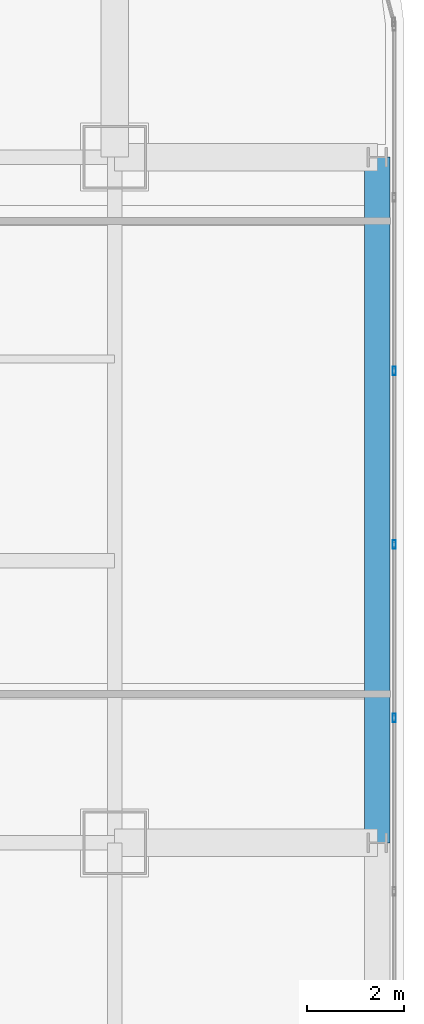
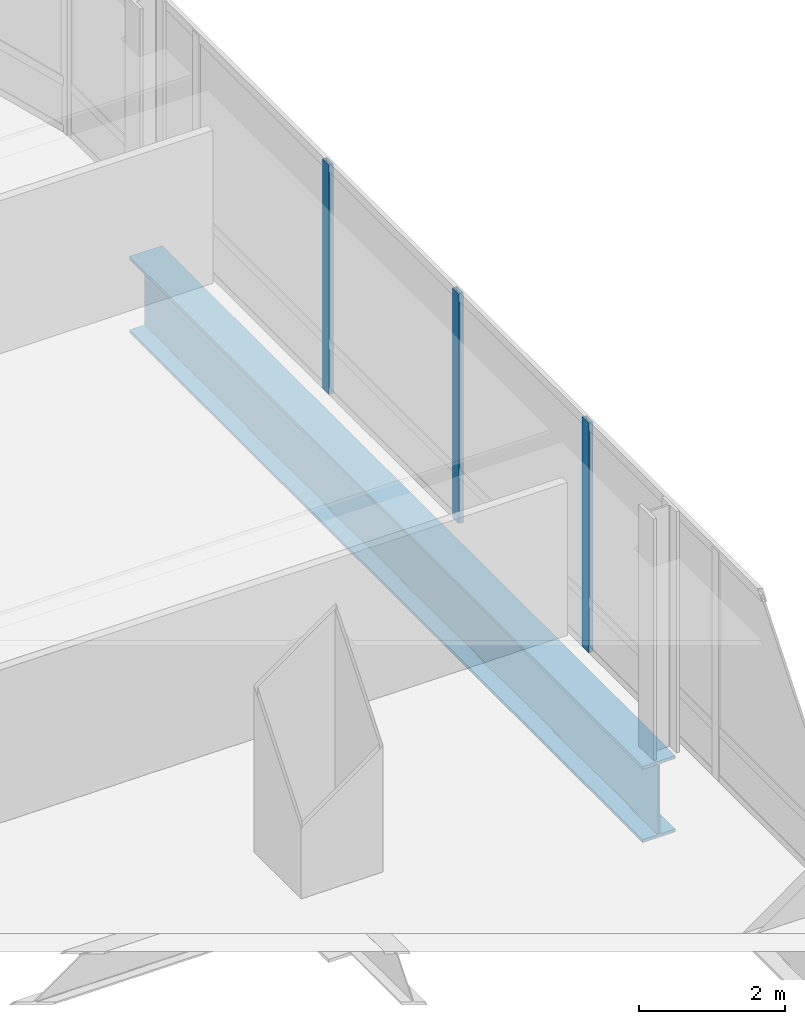
# One storey, part 21 of 42: 3 members, 1 beam, 1 element without a shape of its own.
"""IFC4 building model written with IfcOpenShell, lengths in metres."""

from ifc_helpers import new_model, si_unit, direction, frame, origin, origin_2d, place, context, subcontext, project, spatial, hollow_rectangle, i_section, extrude, material, material_profile, profile_set, type_object, element, aggregate, save


model = new_model("IFC4")

# Units and contexts
model_context = context("Model", 3, precision=1e-05, world=origin(), true_north=direction((0.0, 1.0)))
body_context = subcontext(model_context, "Body", "Model", "MODEL_VIEW")
ifc_project = project(units=[si_unit("LENGTHUNIT", "METRE"), si_unit("AREAUNIT", "SQUARE_METRE"), si_unit("VOLUMEUNIT", "CUBIC_METRE"), si_unit("PLANEANGLEUNIT", "RADIAN"), si_unit("MASSUNIT", "GRAM", prefix="KILO")], contexts=[model_context])

# Site, building, storey
site_placement = place(None, origin())
site = spatial("IfcSite", under=ifc_project, at=site_placement, CompositionType="ELEMENT")
building_placement = place(site_placement, origin())
building = spatial("IfcBuilding", under=site, at=building_placement, Name="Punatoya Terracotta Tower", CompositionType="ELEMENT")
storey_placement = place(building_placement, frame((0.0, 0.0, 263.550048828125)))
storey = spatial("IfcBuildingStorey", under=building, at=storey_placement, Name="L62", CompositionType="ELEMENT", Elevation=263.550048828125)

# Beam
ifc_material_1 = material(Name="Steel S460", Category="steel")
ifc_material_profile_1 = material_profile(ifc_material_1, i_section(OverallWidth=0.52001953125, OverallDepth=1.280029296875, WebThickness=0.031982421875, FlangeThickness=0.050048828125, FilletRadius=0.01806640625, at=origin_2d()))
ifc_profile_set_1 = profile_set([ifc_material_profile_1], Name="Steel S460")
beam_type = type_object("IfcBeamType", Name="BM-TG-NCK", PredefinedType="BEAM", material=ifc_profile_set_1)
beam_placement = place(storey_placement, frame((24.5, 3.39990234375, -0.840087890625), z_axis=(0.0, 1.0, 0.0), x_axis=(-1.0, 0.0, 0.0)))
element("IfcBeam", 1, at=beam_placement, inside=storey, type_object=beam_type, Name="BM-L62-PER-E3", PredefinedType="BEAM", context=body_context, shape_type="SweptSolid", body=[
    extrude(i_section(OverallWidth=0.52001953125, OverallDepth=1.280029296875, WebThickness=0.031982421875, FlangeThickness=0.050048828125, FilletRadius=0.01806640625, at=origin_2d()), origin(), (0.0, 0.0, 1.0), 14.10009765625),
])

# Curtain wall, members
ifc_material_2 = material(Name="Aluminium 6063-T6 + Double Low-E Glass", Category="aluminium")
curtain_wall_type = type_object("IfcCurtainWallType", Name="CW-M3", PredefinedType="NOTDEFINED", material=ifc_material_2)
curtain_wall_placement = place(storey_placement, origin())
curtain_wall = element("IfcCurtainWall", 2, at=curtain_wall_placement, inside=storey, type_object=curtain_wall_type, Name="L62 Curtain Wall CW-L62-E05-1", PredefinedType="NOTDEFINED")
ifc_material_3 = material(Name="Aluminium 6063-T6", Category="aluminium")
ifc_material_profile_2 = material_profile(ifc_material_3, hollow_rectangle(XDim=0.070068359375, YDim=0.179931640625, WallThickness=0.00390625, at=origin_2d()))
ifc_profile_set_2 = profile_set([ifc_material_profile_2], Name="Aluminium 6063-T6")
member_type = type_object("IfcMemberType", Name="CW-MUL-M3", PredefinedType="MULLION", material=ifc_profile_set_2)
member_1_placement = place(storey_placement, frame((24.85009765625, 5.96728515625, 0.0), z_axis=(0.0, 0.0, 1.0), x_axis=(1.0, 0.0, 0.0)))
member_1 = element("IfcMember", 3, at=member_1_placement, type_object=member_type, Name="CW-L62-E05-1 Mullion 06", PredefinedType="MULLION", context=body_context, shape_type="SweptSolid", body=[
    extrude(hollow_rectangle(XDim=0.070068359375, YDim=0.179931640625, WallThickness=0.00390625, at=origin_2d()), origin(), (0.0, 0.0, 1.0), 3.849853515625),
])
member_2_placement = place(storey_placement, frame((24.85009765625, 9.534912109375, 0.0), z_axis=(0.0, 0.0, 1.0), x_axis=(1.0, 0.0, 0.0)))
member_2 = element("IfcMember", 4, at=member_2_placement, type_object=member_type, Name="CW-L62-E05-1 Mullion 07", PredefinedType="MULLION", context=body_context, shape_type="SweptSolid", body=[
    extrude(hollow_rectangle(XDim=0.070068359375, YDim=0.179931640625, WallThickness=0.00390625, at=origin_2d()), origin(), (0.0, 0.0, 1.0), 3.849853515625),
])
member_3_placement = place(storey_placement, frame((24.85009765625, 13.10205078125, 0.0), z_axis=(0.0, 0.0, 1.0), x_axis=(1.0, 0.0, 0.0)))
member_3 = element("IfcMember", 5, at=member_3_placement, type_object=member_type, Name="CW-L62-E05-1 Mullion 08", PredefinedType="MULLION", context=body_context, shape_type="SweptSolid", body=[
    extrude(hollow_rectangle(XDim=0.070068359375, YDim=0.179931640625, WallThickness=0.00390625, at=origin_2d()), origin(), (0.0, 0.0, 1.0), 3.849853515625),
])
aggregate(curtain_wall, [member_1, member_2, member_3])

save(model, "model.ifc")
